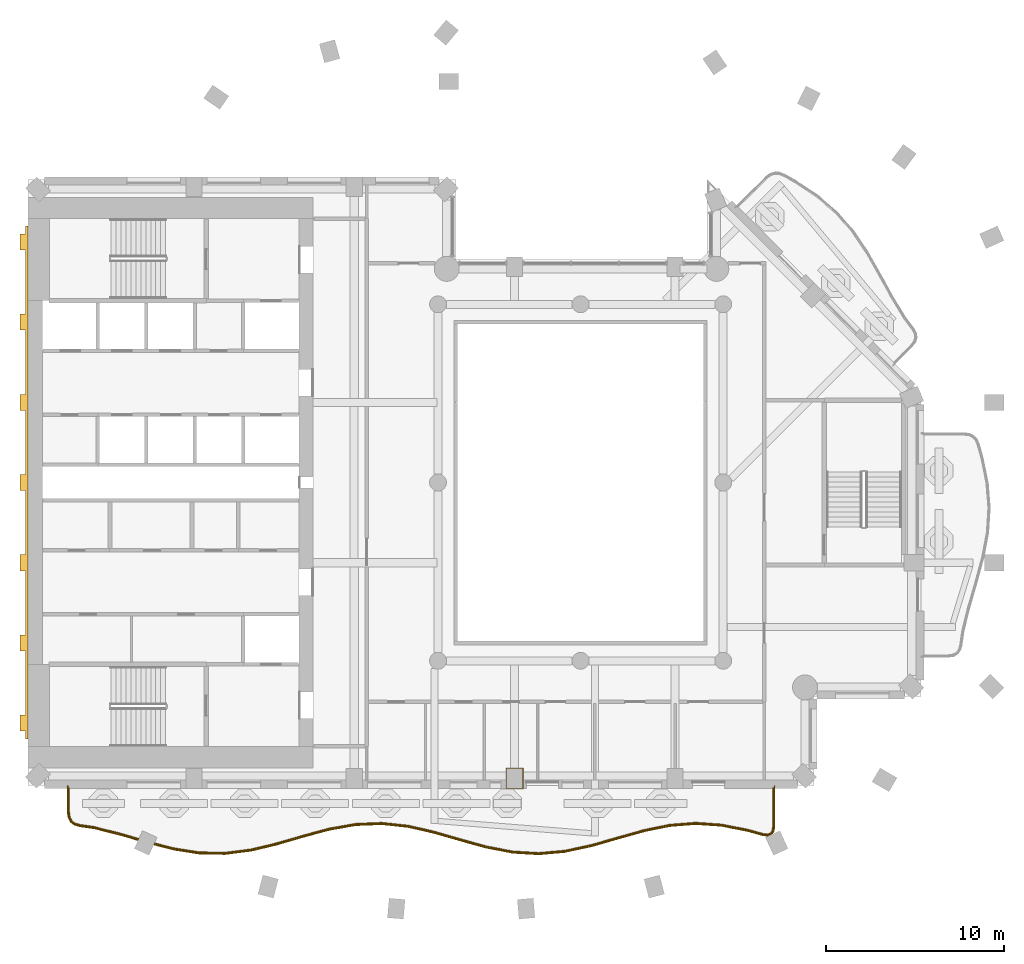
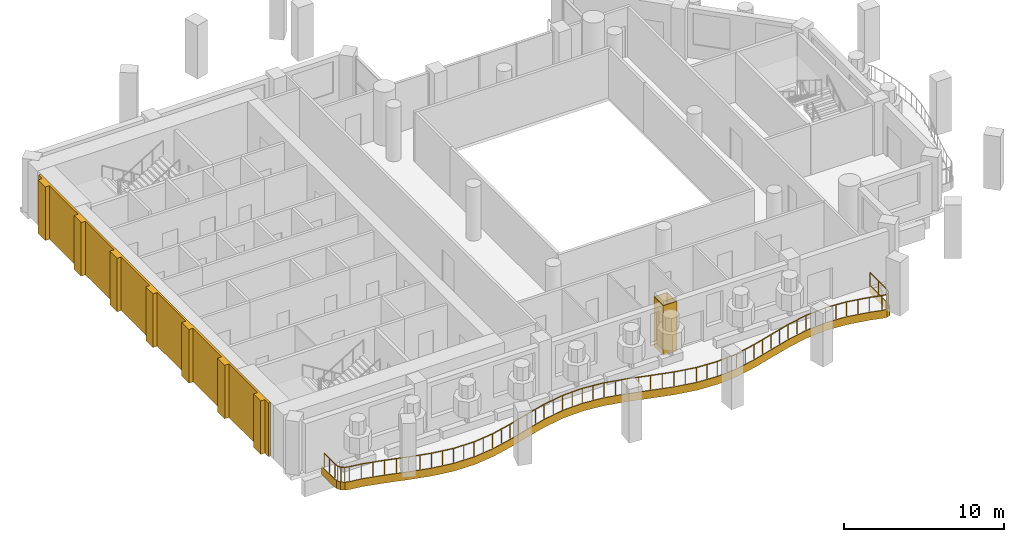
# One storey, part 11 of 15: 3 coverings, 1 railing.
"""IFC4 building model written with IfcOpenShell, lengths in metres."""

from ifc_helpers import new_model, si_unit, direction, frame, origin, origin_2d, place, context, subcontext, project, spatial, polyline, rectangle, outline, extrude, material, layer, layer_set, type_object, element, save


model = new_model("IFC4")

# Units and contexts
model_context = context("Model", 3, precision=1e-05, world=origin(), true_north=direction((0.0, 1.0)))
body_context = subcontext(model_context, "Body", "Model", "MODEL_VIEW")
ifc_project = project(units=[si_unit("LENGTHUNIT", "METRE"), si_unit("AREAUNIT", "SQUARE_METRE"), si_unit("VOLUMEUNIT", "CUBIC_METRE"), si_unit("PLANEANGLEUNIT", "RADIAN"), si_unit("MASSUNIT", "GRAM", prefix="KILO")], contexts=[model_context])

# Site, building, storey
site_placement = place(None, origin())
site = spatial("IfcSite", under=ifc_project, at=site_placement, CompositionType="ELEMENT")
building_placement = place(site_placement, origin())
building = spatial("IfcBuilding", under=site, at=building_placement, Name="Cypress Arch Tower", CompositionType="ELEMENT")
storey_placement = place(building_placement, frame((0.0, 0.0, 234.300048828125)))
storey = spatial("IfcBuildingStorey", under=building, at=storey_placement, Name="L52", CompositionType="ELEMENT", Elevation=234.300048828125)

# Covering
ifc_material_1 = material(Name="White powder-coated aluminium fascia", Category="aluminium")
ifc_layer_1 = layer(ifc_material_1, 0.050048828125)
ifc_layer_set_1 = layer_set([ifc_layer_1], Name="Balcony fascia BF50")
covering_type_1 = type_object("IfcCoveringType", Name="Balcony fascia BF50", PredefinedType="CLADDING", material=ifc_layer_set_1)
covering_1_placement = place(storey_placement, frame((0.0, 0.0, -0.60009765625)))
element("IfcCovering", 1, at=covering_1_placement, inside=storey, type_object=covering_type_1, Name="Balcony fascia L52-B01", PredefinedType="CLADDING", context=body_context, shape_type="SweptSolid", body=[
    extrude(outline(polyline([(11.89990234375, -19.2587890625), (11.856689453125, -19.562255859375), (11.716796875, -19.764892578125), (11.48388671875, -19.844970703125), (11.179931640625, -19.804931640625), (10.37158203125, -19.5791015625), (8.909912109375, -19.286376953125), (7.4501953125, -19.185302734375), (5.990478515625, -19.301025390625), (4.528564453125, -19.604248046875), (3.063720703125, -20.018310546875), (1.595458984375, -20.43701171875), (0.124267578125, -20.752685546875), (-1.349365234375, -20.884033203125), (-2.822998046875, -20.79638671875), (-4.294677734375, -20.51318359375), (-5.763671875, -20.107177734375), (-7.229248046875, -19.68310546875), (-8.691650390625, -19.349609375), (-10.151611328125, -19.19140625), (-11.611328125, -19.24853515625), (-13.072509765625, -19.506591796875), (-14.53662109375, -19.900146484375), (-16.00390625, -20.32861328125), (-17.474365234375, -20.68212890625), (-18.947265625, -20.869384765625), (-20.421142578125, -20.841796875), (-21.8935546875, -20.6064453125), (-23.36328125, -20.224365234375), (-24.829833984375, -19.794189453125), (-26.29296875, -19.426025390625), (-27.1005859375, -19.308837890625), (-27.4013671875, -19.2216796875), (-27.623779296875, -19.0546875), (-27.757080078125, -18.810791015625), (-27.800048828125, -18.50048828125), (-27.800048828125, -17.0009765625), (-27.75, -17.0009765625), (-27.75, -18.4970703125), (-27.708740234375, -18.794677734375), (-27.5849609375, -19.021240234375), (-27.378662109375, -19.17626953125), (-27.090087890625, -19.259765625), (-26.283447265625, -19.376953125), (-24.816650390625, -19.745849609375), (-23.35009765625, -20.17626953125), (-21.88330078125, -20.557373046875), (-20.416748046875, -20.791748046875), (-18.949951171875, -20.8193359375), (-17.4833984375, -20.6328125), (-16.0166015625, -20.2802734375), (-14.550048828125, -19.85205078125), (-13.083251953125, -19.457763671875), (-11.61669921875, -19.19873046875), (-10.14990234375, -19.141357421875), (-8.683349609375, -19.30029296875), (-7.216552734375, -19.634765625), (-5.75, -20.05908203125), (-4.283447265625, -20.46435546875), (-2.816650390625, -20.746826171875), (-1.35009765625, -20.833740234375), (0.11669921875, -20.703125), (1.583251953125, -20.388427734375), (3.050048828125, -19.97021484375), (4.5166015625, -19.5556640625), (5.9833984375, -19.25146484375), (7.449951171875, -19.135009765625), (8.916748046875, -19.23681640625), (10.38330078125, -19.5302734375), (11.18994140625, -19.755859375), (11.478759765625, -19.7939453125), (11.68505859375, -19.72314453125), (11.808837890625, -19.54345703125), (11.85009765625, -19.255126953125), (11.85009765625, -17.0009765625), (11.89990234375, -17.0009765625), (11.89990234375, -19.2587890625)])), origin(), (0.0, 0.0, 1.0), 0.60009765625),
])

# Railing
ifc_material_2 = material(Name="Powder-coated steel posts and rods, 100 mm clear between rods", Category="steel")
railing_type = type_object("IfcRailingType", Name="Balcony guard GR1100", PredefinedType="GUARDRAIL", material=ifc_material_2)
railing_placement = place(storey_placement, frame((11.800048828125, -17.14990234375, 0.0)))
element("IfcRailing", 2, at=railing_placement, inside=storey, type_object=railing_type, Name="Balcony guard L52-B01", PredefinedType="GUARDRAIL", context=body_context, shape_type="SweptSolid", body=[
    extrude(rectangle(XDim=0.050048828125, YDim=0.050048828125, at=origin_2d()), frame((0.0, 0.0, 1.0751953125), z_axis=(0.0, -1.0, 0.0), x_axis=(1.0, 0.0, 0.0)), (0.0, 0.0, 1.0), 2.101806640625),
    extrude(rectangle(XDim=0.050048828125, YDim=0.050048828125, at=origin_2d()), frame((0.0, -2.101806640625, 1.0751953125), z_axis=(-0.14166927303, -0.989914045298, 0.0), x_axis=(0.989914045298, -0.14166927303, 0.0)), (0.0, 0.0, 1.0), 0.275634765625),
    extrude(rectangle(XDim=0.050048828125, YDim=0.050048828125, at=origin_2d()), frame((-0.0390625, -2.374755859375, 1.0751953125), z_axis=(-0.5676729293, -0.823254180275, 0.0), x_axis=(0.823254180275, -0.5676729293, 0.0)), (0.0, 0.0, 1.0), 0.190185546875),
    extrude(rectangle(XDim=0.050048828125, YDim=0.050048828125, at=origin_2d()), frame((-0.14697265625, -2.53125, 1.0751953125), z_axis=(-0.945945945946, -0.324324324324, 0.0), x_axis=(0.324324324324, -0.945945945946, 0.0)), (0.0, 0.0, 1.0), 0.189697265625),
    extrude(rectangle(XDim=0.050048828125, YDim=0.050048828125, at=origin_2d()), frame((-0.326416015625, -2.5927734375, 1.0751953125), z_axis=(-0.991511399959, 0.130019782153, 0.0), x_axis=(-0.130019782153, -0.991511399959, 0.0)), (0.0, 0.0, 1.0), 0.276123046875),
    extrude(rectangle(XDim=0.050048828125, YDim=0.050048828125, at=origin_2d()), frame((-0.60009765625, -2.556884765625, 1.0751953125), z_axis=(-0.963051945, 0.269315709218, 0.0), x_axis=(-0.269315709218, -0.963051945, 0.0)), (0.0, 0.0, 1.0), 0.835693359375),
    extrude(rectangle(XDim=0.050048828125, YDim=0.050048828125, at=origin_2d()), frame((-1.405029296875, -2.331787109375, 1.0751953125), z_axis=(-0.980568160702, 0.196178699703, 0.0), x_axis=(-0.196178699703, -0.980568160702, 0.0)), (0.0, 0.0, 1.0), 1.500732421875),
    extrude(rectangle(XDim=0.050048828125, YDim=0.050048828125, at=origin_2d()), frame((-2.876708984375, -2.037353515625, 1.0751953125), z_axis=(-0.997599324314, 0.069250185038, 0.0), x_axis=(-0.069250185038, -0.997599324314, 0.0)), (0.0, 0.0, 1.0), 1.477294921875),
    extrude(rectangle(XDim=0.050048828125, YDim=0.050048828125, at=origin_2d()), frame((-4.350341796875, -1.93505859375, 1.0751953125), z_axis=(-0.996877994013, -0.078957362243, 0.0), x_axis=(0.078957362243, -0.996877994013, 0.0)), (0.0, 0.0, 1.0), 1.47802734375),
    extrude(rectangle(XDim=0.050048828125, YDim=0.050048828125, at=origin_2d()), frame((-5.82373046875, -2.0517578125, 1.0751953125), z_axis=(-0.97913017786, -0.203234088685, 0.0), x_axis=(0.203234088685, -0.97913017786, 0.0)), (0.0, 0.0, 1.0), 1.502685546875),
    extrude(rectangle(XDim=0.050048828125, YDim=0.050048828125, at=origin_2d()), frame((-7.295166015625, -2.357177734375, 1.0751953125), z_axis=(-0.962304852, -0.271973108628, 0.0), x_axis=(0.271973108628, -0.962304852, 0.0)), (0.0, 0.0, 1.0), 1.526123046875),
    extrude(rectangle(XDim=0.050048828125, YDim=0.050048828125, at=origin_2d()), frame((-8.763671875, -2.772216796875, 1.0751953125), z_axis=(-0.961674983608, -0.274191950834, 0.0), x_axis=(0.274191950834, -0.961674983608, 0.0)), (0.0, 0.0, 1.0), 1.5234375),
    extrude(rectangle(XDim=0.050048828125, YDim=0.050048828125, at=origin_2d()), frame((-10.228759765625, -3.18994140625, 1.0751953125), z_axis=(-0.977747430464, -0.209785514802, 0.0), x_axis=(0.209785514802, -0.977747430464, 0.0)), (0.0, 0.0, 1.0), 1.495361328125),
    extrude(rectangle(XDim=0.050048828125, YDim=0.050048828125, at=origin_2d()), frame((-11.69091796875, -3.503662109375, 1.0751953125), z_axis=(-0.996051393774, -0.088778493793, 0.0), x_axis=(0.088778493793, -0.996051393774, 0.0)), (0.0, 0.0, 1.0), 1.4658203125),
    extrude(rectangle(XDim=0.050048828125, YDim=0.050048828125, at=origin_2d()), frame((-13.15087890625, -3.6337890625, 1.0751953125), z_axis=(-0.998241982549, 0.05927009597, 0.0), x_axis=(-0.05927009597, -0.998241982549, 0.0)), (0.0, 0.0, 1.0), 1.46240234375),
    extrude(rectangle(XDim=0.050048828125, YDim=0.050048828125, at=origin_2d()), frame((-14.610595703125, -3.547119140625, 1.0751953125), z_axis=(-0.981980695939, 0.18898124987, 0.0), x_axis=(-0.18898124987, -0.981980695939, 0.0)), (0.0, 0.0, 1.0), 1.48828125),
    extrude(rectangle(XDim=0.050048828125, YDim=0.050048828125, at=origin_2d()), frame((-16.072021484375, -3.265869140625, 1.0751953125), z_axis=(-0.963853275634, 0.2664335997, 0.0), x_axis=(-0.2664335997, -0.963853275634, 0.0)), (0.0, 0.0, 1.0), 1.519287109375),
    extrude(rectangle(XDim=0.050048828125, YDim=0.050048828125, at=origin_2d()), frame((-17.536376953125, -2.861083984375, 1.0751953125), z_axis=(-0.960620398889, 0.27786408411, 0.0), x_axis=(-0.27786408411, -0.960620398889, 0.0)), (0.0, 0.0, 1.0), 1.52783203125),
    extrude(rectangle(XDim=0.050048828125, YDim=0.050048828125, at=origin_2d()), frame((-19.004150390625, -2.4365234375, 1.0751953125), z_axis=(-0.974933771932, 0.222495259155, 0.0), x_axis=(-0.222495259155, -0.974933771932, 0.0)), (0.0, 0.0, 1.0), 1.5087890625),
    extrude(rectangle(XDim=0.050048828125, YDim=0.050048828125, at=origin_2d()), frame((-20.47509765625, -2.100830078125, 1.0751953125), z_axis=(-0.994195145049, 0.107591884275, 0.0), x_axis=(-0.107591884275, -0.994195145049, 0.0)), (0.0, 0.0, 1.0), 1.481689453125),
    extrude(rectangle(XDim=0.050048828125, YDim=0.050048828125, at=origin_2d()), frame((-21.9482421875, -1.94140625, 1.0751953125), z_axis=(-0.999236772099, -0.039062428063, 0.0), x_axis=(0.039062428063, -0.999236772099, 0.0)), (0.0, 0.0, 1.0), 1.47509765625),
    extrude(rectangle(XDim=0.050048828125, YDim=0.050048828125, at=origin_2d()), frame((-23.422119140625, -1.9990234375, 1.0751953125), z_axis=(-0.984758888007, -0.173925077235, 0.0), x_axis=(0.173925077235, -0.984758888007, 0.0)), (0.0, 0.0, 1.0), 1.494873046875),
    extrude(rectangle(XDim=0.050048828125, YDim=0.050048828125, at=origin_2d()), frame((-24.894287109375, -2.259033203125, 1.0751953125), z_axis=(-0.965705563764, -0.259639681318, 0.0), x_axis=(0.259639681318, -0.965705563764, 0.0)), (0.0, 0.0, 1.0), 1.521484375),
    extrude(rectangle(XDim=0.050048828125, YDim=0.050048828125, at=origin_2d()), frame((-26.363525390625, -2.654052734375, 1.0751953125), z_axis=(-0.959933728914, -0.280227115202, 0.0), x_axis=(0.280227115202, -0.959933728914, 0.0)), (0.0, 0.0, 1.0), 1.52734375),
    extrude(rectangle(XDim=0.050048828125, YDim=0.050048828125, at=origin_2d()), frame((-27.82958984375, -3.08203125, 1.0751953125), z_axis=(-0.972279678085, -0.233820930594, 0.0), x_axis=(0.233820930594, -0.972279678085, 0.0)), (0.0, 0.0, 1.0), 1.504638671875),
    extrude(rectangle(XDim=0.050048828125, YDim=0.050048828125, at=origin_2d()), frame((-29.29248046875, -3.433837890625, 1.0751953125), z_axis=(-0.992023197419, -0.126055447256, 0.0), x_axis=(0.126055447256, -0.992023197419, 0.0)), (0.0, 0.0, 1.0), 1.471923828125),
    extrude(rectangle(XDim=0.050048828125, YDim=0.050048828125, at=origin_2d()), frame((-30.752685546875, -3.619384765625, 1.0751953125), z_axis=(-0.999824539277, 0.018732075677, 0.0), x_axis=(-0.018732075677, -0.999824539277, 0.0)), (0.0, 0.0, 1.0), 1.459716796875),
    extrude(rectangle(XDim=0.050048828125, YDim=0.050048828125, at=origin_2d()), frame((-32.212158203125, -3.592041015625, 1.0751953125), z_axis=(-0.987451956487, 0.157919706276, 0.0), x_axis=(-0.157919706276, -0.987451956487, 0.0)), (0.0, 0.0, 1.0), 1.4794921875),
    extrude(rectangle(XDim=0.050048828125, YDim=0.050048828125, at=origin_2d()), frame((-33.673095703125, -3.3583984375, 1.0751953125), z_axis=(-0.967850023108, 0.251527995997, 0.0), x_axis=(-0.251527995997, -0.967850023108, 0.0)), (0.0, 0.0, 1.0), 1.51220703125),
    extrude(rectangle(XDim=0.050048828125, YDim=0.050048828125, at=origin_2d()), frame((-35.13671875, -2.97802734375, 1.0751953125), z_axis=(-0.959583935039, 0.281422585476, 0.0), x_axis=(-0.281422585476, -0.959583935039, 0.0)), (0.0, 0.0, 1.0), 1.528564453125),
    extrude(rectangle(XDim=0.050048828125, YDim=0.050048828125, at=origin_2d()), frame((-36.603515625, -2.5478515625, 1.0751953125), z_axis=(-0.969781460369, 0.243975242853, 0.0), x_axis=(-0.243975242853, -0.969781460369, 0.0)), (0.0, 0.0, 1.0), 1.51611328125),
    extrude(rectangle(XDim=0.050048828125, YDim=0.050048828125, at=origin_2d()), frame((-38.07373046875, -2.177978515625, 1.0751953125), z_axis=(-0.989629111975, 0.143646165041, 0.0), x_axis=(-0.143646165041, -0.989629111975, 0.0)), (0.0, 0.0, 1.0), 0.814208984375),
    extrude(rectangle(XDim=0.050048828125, YDim=0.050048828125, at=origin_2d()), frame((-38.87939453125, -2.06103515625, 1.0751953125), z_axis=(-0.960331583575, 0.278860627534, 0.0), x_axis=(-0.278860627534, -0.960331583575, 0.0)), (0.0, 0.0, 1.0), 0.2880859375),
    extrude(rectangle(XDim=0.050048828125, YDim=0.050048828125, at=origin_2d()), frame((-39.156005859375, -1.980712890625, 1.0751953125), z_axis=(-0.8, 0.6, 0.0), x_axis=(-0.6, -0.8, 0.0)), (0.0, 0.0, 1.0), 0.238037109375),
    extrude(rectangle(XDim=0.050048828125, YDim=0.050048828125, at=origin_2d()), frame((-39.346435546875, -1.837890625, 1.0751953125), z_axis=(-0.478923981718, 0.877856377624, 0.0), x_axis=(-0.877856377624, -0.478923981718, 0.0)), (0.0, 0.0, 1.0), 0.238037109375),
    extrude(rectangle(XDim=0.050048828125, YDim=0.050048828125, at=origin_2d()), frame((-39.46044921875, -1.62890625, 1.0751953125), z_axis=(-0.137383480688, 0.990517934837, 0.0), x_axis=(-0.990517934837, -0.137383480688, 0.0)), (0.0, 0.0, 1.0), 0.287841796875),
    extrude(rectangle(XDim=0.050048828125, YDim=0.050048828125, at=origin_2d()), frame((-39.5, -1.34375, 1.0751953125), z_axis=(0.0, 1.0, 0.0), x_axis=(-1.0, 0.0, 0.0)), (0.0, 0.0, 1.0), 1.34375),
    extrude(rectangle(XDim=0.0400390625, YDim=0.0400390625, at=origin_2d()), origin(), (0.0, 0.0, 1.0), 1.050048828125),
    extrude(rectangle(XDim=0.0400390625, YDim=0.0400390625, at=origin_2d()), frame((0.0, -1.05078125, 0.0)), (0.0, 0.0, 1.0), 1.050048828125),
    extrude(rectangle(XDim=0.0400390625, YDim=0.0400390625, at=origin_2d()), frame((0.0, -2.101806640625, 0.0)), (0.0, 0.0, 1.0), 1.050048828125),
    extrude(rectangle(XDim=0.0400390625, YDim=0.0400390625, at=origin_2d()), frame((-0.0390625, -2.374755859375, 0.0)), (0.0, 0.0, 1.0), 1.050048828125),
    extrude(rectangle(XDim=0.0400390625, YDim=0.0400390625, at=origin_2d()), frame((-0.14697265625, -2.53125, 0.0)), (0.0, 0.0, 1.0), 1.050048828125),
    extrude(rectangle(XDim=0.0400390625, YDim=0.0400390625, at=origin_2d()), frame((-0.326416015625, -2.5927734375, 0.0)), (0.0, 0.0, 1.0), 1.050048828125),
    extrude(rectangle(XDim=0.0400390625, YDim=0.0400390625, at=origin_2d()), frame((-0.60009765625, -2.556884765625, 0.0)), (0.0, 0.0, 1.0), 1.050048828125),
    extrude(rectangle(XDim=0.0400390625, YDim=0.0400390625, at=origin_2d()), frame((-1.405029296875, -2.331787109375, 0.0)), (0.0, 0.0, 1.0), 1.050048828125),
    extrude(rectangle(XDim=0.0400390625, YDim=0.0400390625, at=origin_2d()), frame((-2.140869140625, -2.1845703125, 0.0)), (0.0, 0.0, 1.0), 1.050048828125),
    extrude(rectangle(XDim=0.0400390625, YDim=0.0400390625, at=origin_2d()), frame((-2.876708984375, -2.037353515625, 0.0)), (0.0, 0.0, 1.0), 1.050048828125),
    extrude(rectangle(XDim=0.0400390625, YDim=0.0400390625, at=origin_2d()), frame((-3.613525390625, -1.986328125, 0.0)), (0.0, 0.0, 1.0), 1.050048828125),
    extrude(rectangle(XDim=0.0400390625, YDim=0.0400390625, at=origin_2d()), frame((-4.350341796875, -1.93505859375, 0.0)), (0.0, 0.0, 1.0), 1.050048828125),
    extrude(rectangle(XDim=0.0400390625, YDim=0.0400390625, at=origin_2d()), frame((-5.0869140625, -1.993408203125, 0.0)), (0.0, 0.0, 1.0), 1.050048828125),
    extrude(rectangle(XDim=0.0400390625, YDim=0.0400390625, at=origin_2d()), frame((-5.82373046875, -2.0517578125, 0.0)), (0.0, 0.0, 1.0), 1.050048828125),
    extrude(rectangle(XDim=0.0400390625, YDim=0.0400390625, at=origin_2d()), frame((-6.5595703125, -2.20458984375, 0.0)), (0.0, 0.0, 1.0), 1.050048828125),
    extrude(rectangle(XDim=0.0400390625, YDim=0.0400390625, at=origin_2d()), frame((-7.295166015625, -2.357177734375, 0.0)), (0.0, 0.0, 1.0), 1.050048828125),
    extrude(rectangle(XDim=0.0400390625, YDim=0.0400390625, at=origin_2d()), frame((-8.029296875, -2.564697265625, 0.0)), (0.0, 0.0, 1.0), 1.050048828125),
    extrude(rectangle(XDim=0.0400390625, YDim=0.0400390625, at=origin_2d()), frame((-8.763671875, -2.772216796875, 0.0)), (0.0, 0.0, 1.0), 1.050048828125),
    extrude(rectangle(XDim=0.0400390625, YDim=0.0400390625, at=origin_2d()), frame((-9.49609375, -2.98095703125, 0.0)), (0.0, 0.0, 1.0), 1.050048828125),
    extrude(rectangle(XDim=0.0400390625, YDim=0.0400390625, at=origin_2d()), frame((-10.228759765625, -3.18994140625, 0.0)), (0.0, 0.0, 1.0), 1.050048828125),
    extrude(rectangle(XDim=0.0400390625, YDim=0.0400390625, at=origin_2d()), frame((-10.9599609375, -3.3466796875, 0.0)), (0.0, 0.0, 1.0), 1.050048828125),
    extrude(rectangle(XDim=0.0400390625, YDim=0.0400390625, at=origin_2d()), frame((-11.69091796875, -3.503662109375, 0.0)), (0.0, 0.0, 1.0), 1.050048828125),
    extrude(rectangle(XDim=0.0400390625, YDim=0.0400390625, at=origin_2d()), frame((-12.4208984375, -3.56884765625, 0.0)), (0.0, 0.0, 1.0), 1.050048828125),
    extrude(rectangle(XDim=0.0400390625, YDim=0.0400390625, at=origin_2d()), frame((-13.15087890625, -3.6337890625, 0.0)), (0.0, 0.0, 1.0), 1.050048828125),
    extrude(rectangle(XDim=0.0400390625, YDim=0.0400390625, at=origin_2d()), frame((-13.880859375, -3.59033203125, 0.0)), (0.0, 0.0, 1.0), 1.050048828125),
    extrude(rectangle(XDim=0.0400390625, YDim=0.0400390625, at=origin_2d()), frame((-14.610595703125, -3.547119140625, 0.0)), (0.0, 0.0, 1.0), 1.050048828125),
    extrude(rectangle(XDim=0.0400390625, YDim=0.0400390625, at=origin_2d()), frame((-15.34130859375, -3.406494140625, 0.0)), (0.0, 0.0, 1.0), 1.050048828125),
    extrude(rectangle(XDim=0.0400390625, YDim=0.0400390625, at=origin_2d()), frame((-16.072021484375, -3.265869140625, 0.0)), (0.0, 0.0, 1.0), 1.050048828125),
    extrude(rectangle(XDim=0.0400390625, YDim=0.0400390625, at=origin_2d()), frame((-16.80419921875, -3.0634765625, 0.0)), (0.0, 0.0, 1.0), 1.050048828125),
    extrude(rectangle(XDim=0.0400390625, YDim=0.0400390625, at=origin_2d()), frame((-17.536376953125, -2.861083984375, 0.0)), (0.0, 0.0, 1.0), 1.050048828125),
    extrude(rectangle(XDim=0.0400390625, YDim=0.0400390625, at=origin_2d()), frame((-18.270263671875, -2.64892578125, 0.0)), (0.0, 0.0, 1.0), 1.050048828125),
    extrude(rectangle(XDim=0.0400390625, YDim=0.0400390625, at=origin_2d()), frame((-19.004150390625, -2.4365234375, 0.0)), (0.0, 0.0, 1.0), 1.050048828125),
    extrude(rectangle(XDim=0.0400390625, YDim=0.0400390625, at=origin_2d()), frame((-19.73974609375, -2.2685546875, 0.0)), (0.0, 0.0, 1.0), 1.050048828125),
    extrude(rectangle(XDim=0.0400390625, YDim=0.0400390625, at=origin_2d()), frame((-20.47509765625, -2.100830078125, 0.0)), (0.0, 0.0, 1.0), 1.050048828125),
    extrude(rectangle(XDim=0.0400390625, YDim=0.0400390625, at=origin_2d()), frame((-21.211669921875, -2.02099609375, 0.0)), (0.0, 0.0, 1.0), 1.050048828125),
    extrude(rectangle(XDim=0.0400390625, YDim=0.0400390625, at=origin_2d()), frame((-21.9482421875, -1.94140625, 0.0)), (0.0, 0.0, 1.0), 1.050048828125),
    extrude(rectangle(XDim=0.0400390625, YDim=0.0400390625, at=origin_2d()), frame((-22.68505859375, -1.97021484375, 0.0)), (0.0, 0.0, 1.0), 1.050048828125),
    extrude(rectangle(XDim=0.0400390625, YDim=0.0400390625, at=origin_2d()), frame((-23.422119140625, -1.9990234375, 0.0)), (0.0, 0.0, 1.0), 1.050048828125),
    extrude(rectangle(XDim=0.0400390625, YDim=0.0400390625, at=origin_2d()), frame((-24.158203125, -2.12890625, 0.0)), (0.0, 0.0, 1.0), 1.050048828125),
    extrude(rectangle(XDim=0.0400390625, YDim=0.0400390625, at=origin_2d()), frame((-24.894287109375, -2.259033203125, 0.0)), (0.0, 0.0, 1.0), 1.050048828125),
    extrude(rectangle(XDim=0.0400390625, YDim=0.0400390625, at=origin_2d()), frame((-25.62890625, -2.45654296875, 0.0)), (0.0, 0.0, 1.0), 1.050048828125),
    extrude(rectangle(XDim=0.0400390625, YDim=0.0400390625, at=origin_2d()), frame((-26.363525390625, -2.654052734375, 0.0)), (0.0, 0.0, 1.0), 1.050048828125),
    extrude(rectangle(XDim=0.0400390625, YDim=0.0400390625, at=origin_2d()), frame((-27.0966796875, -2.8681640625, 0.0)), (0.0, 0.0, 1.0), 1.050048828125),
    extrude(rectangle(XDim=0.0400390625, YDim=0.0400390625, at=origin_2d()), frame((-27.82958984375, -3.08203125, 0.0)), (0.0, 0.0, 1.0), 1.050048828125),
    extrude(rectangle(XDim=0.0400390625, YDim=0.0400390625, at=origin_2d()), frame((-28.56103515625, -3.2578125, 0.0)), (0.0, 0.0, 1.0), 1.050048828125),
    extrude(rectangle(XDim=0.0400390625, YDim=0.0400390625, at=origin_2d()), frame((-29.29248046875, -3.433837890625, 0.0)), (0.0, 0.0, 1.0), 1.050048828125),
    extrude(rectangle(XDim=0.0400390625, YDim=0.0400390625, at=origin_2d()), frame((-30.0224609375, -3.526611328125, 0.0)), (0.0, 0.0, 1.0), 1.050048828125),
    extrude(rectangle(XDim=0.0400390625, YDim=0.0400390625, at=origin_2d()), frame((-30.752685546875, -3.619384765625, 0.0)), (0.0, 0.0, 1.0), 1.050048828125),
    extrude(rectangle(XDim=0.0400390625, YDim=0.0400390625, at=origin_2d()), frame((-31.482421875, -3.605712890625, 0.0)), (0.0, 0.0, 1.0), 1.050048828125),
    extrude(rectangle(XDim=0.0400390625, YDim=0.0400390625, at=origin_2d()), frame((-32.212158203125, -3.592041015625, 0.0)), (0.0, 0.0, 1.0), 1.050048828125),
    extrude(rectangle(XDim=0.0400390625, YDim=0.0400390625, at=origin_2d()), frame((-32.942626953125, -3.47509765625, 0.0)), (0.0, 0.0, 1.0), 1.050048828125),
    extrude(rectangle(XDim=0.0400390625, YDim=0.0400390625, at=origin_2d()), frame((-33.673095703125, -3.3583984375, 0.0)), (0.0, 0.0, 1.0), 1.050048828125),
    extrude(rectangle(XDim=0.0400390625, YDim=0.0400390625, at=origin_2d()), frame((-34.40478515625, -3.168212890625, 0.0)), (0.0, 0.0, 1.0), 1.050048828125),
    extrude(rectangle(XDim=0.0400390625, YDim=0.0400390625, at=origin_2d()), frame((-35.13671875, -2.97802734375, 0.0)), (0.0, 0.0, 1.0), 1.050048828125),
    extrude(rectangle(XDim=0.0400390625, YDim=0.0400390625, at=origin_2d()), frame((-35.8701171875, -2.762939453125, 0.0)), (0.0, 0.0, 1.0), 1.050048828125),
    extrude(rectangle(XDim=0.0400390625, YDim=0.0400390625, at=origin_2d()), frame((-36.603515625, -2.5478515625, 0.0)), (0.0, 0.0, 1.0), 1.050048828125),
    extrude(rectangle(XDim=0.0400390625, YDim=0.0400390625, at=origin_2d()), frame((-37.338623046875, -2.36279296875, 0.0)), (0.0, 0.0, 1.0), 1.050048828125),
    extrude(rectangle(XDim=0.0400390625, YDim=0.0400390625, at=origin_2d()), frame((-38.07373046875, -2.177978515625, 0.0)), (0.0, 0.0, 1.0), 1.050048828125),
    extrude(rectangle(XDim=0.0400390625, YDim=0.0400390625, at=origin_2d()), frame((-38.87939453125, -2.06103515625, 0.0)), (0.0, 0.0, 1.0), 1.050048828125),
    extrude(rectangle(XDim=0.0400390625, YDim=0.0400390625, at=origin_2d()), frame((-39.156005859375, -1.980712890625, 0.0)), (0.0, 0.0, 1.0), 1.050048828125),
    extrude(rectangle(XDim=0.0400390625, YDim=0.0400390625, at=origin_2d()), frame((-39.346435546875, -1.837890625, 0.0)), (0.0, 0.0, 1.0), 1.050048828125),
    extrude(rectangle(XDim=0.0400390625, YDim=0.0400390625, at=origin_2d()), frame((-39.46044921875, -1.62890625, 0.0)), (0.0, 0.0, 1.0), 1.050048828125),
    extrude(rectangle(XDim=0.0400390625, YDim=0.0400390625, at=origin_2d()), frame((-39.5, -1.34375, 0.0)), (0.0, 0.0, 1.0), 1.050048828125),
    extrude(rectangle(XDim=0.0400390625, YDim=0.0400390625, at=origin_2d()), frame((-39.5, -0.671875, 0.0)), (0.0, 0.0, 1.0), 1.050048828125),
    extrude(rectangle(XDim=0.0400390625, YDim=0.0400390625, at=origin_2d()), frame((-39.5, 0.0, 0.0)), (0.0, 0.0, 1.0), 1.050048828125),
])

# Coverings
ifc_material_3 = material(Name="Painted plasterboard column casing")
ifc_layer_2 = layer(ifc_material_3, 0.0400390625)
ifc_layer_set_2 = layer_set([ifc_layer_2], Name="Column casing CK40")
covering_type_2 = type_object("IfcCoveringType", Name="Column casing CK40", PredefinedType="CLADDING", material=ifc_layer_set_2)
covering_2_placement = place(storey_placement, origin())
element("IfcCovering", 3, at=covering_2_placement, inside=storey, type_object=covering_type_2, Name="Column casing L52 CB04", PredefinedType="CLADDING", context=body_context, shape_type="SweptSolid", body=[
    extrude(outline(polyline([(-3.18994140625, -17.18994140625), (-3.18994140625, -16.010009765625), (-2.2099609375, -16.010009765625), (-2.2099609375, -17.18994140625), (-3.18994140625, -17.18994140625)]), holes=[polyline([(-3.14990234375, -17.14990234375), (-2.25, -17.14990234375), (-2.25, -16.050048828125), (-3.14990234375, -16.050048828125), (-3.14990234375, -17.14990234375)])]), origin(), (0.0, 0.0, 1.0), 3.800048828125),
])
ifc_material_4 = material(Name="Brick (red buff blend)", Category="masonry")
ifc_layer_3 = layer(ifc_material_4, 0.449951171875)
ifc_layer_set_3 = layer_set([ifc_layer_3], Name="West face brick piers WP450")
covering_type_3 = type_object("IfcCoveringType", Name="West face brick piers WP450", PredefinedType="CLADDING", material=ifc_layer_set_3)
covering_3_placement = place(storey_placement, origin())
element("IfcCovering", 4, at=covering_3_placement, inside=storey, type_object=covering_type_3, Name="West face brick piers L52", PredefinedType="CLADDING", context=body_context, shape_type="SweptSolid", body=[
    extrude(outline(polyline([(-30.14990234375, -13.050048828125), (-30.14990234375, -9.449951171875), (-30.449951171875, -9.449951171875), (-30.449951171875, -8.550048828125), (-30.14990234375, -8.550048828125), (-30.14990234375, -4.949951171875), (-30.449951171875, -4.949951171875), (-30.449951171875, -4.050048828125), (-30.14990234375, -4.050048828125), (-30.14990234375, -0.449951171875), (-30.449951171875, -0.449951171875), (-30.449951171875, 0.449951171875), (-30.14990234375, 0.449951171875), (-30.14990234375, 4.050048828125), (-30.449951171875, 4.050048828125), (-30.449951171875, 4.949951171875), (-30.14990234375, 4.949951171875), (-30.14990234375, 8.550048828125), (-30.449951171875, 8.550048828125), (-30.449951171875, 9.449951171875), (-30.14990234375, 9.449951171875), (-30.14990234375, 13.050048828125), (-30.449951171875, 13.050048828125), (-30.449951171875, 13.949951171875), (-30.14990234375, 13.949951171875), (-30.14990234375, 14.39990234375), (-30.0, 14.39990234375), (-30.0, -14.39990234375), (-30.14990234375, -14.39990234375), (-30.14990234375, -13.949951171875), (-30.449951171875, -13.949951171875), (-30.449951171875, -13.050048828125), (-30.14990234375, -13.050048828125)])), origin(), (0.0, 0.0, 1.0), 4.099853515625),
])

save(model, "model.ifc")
